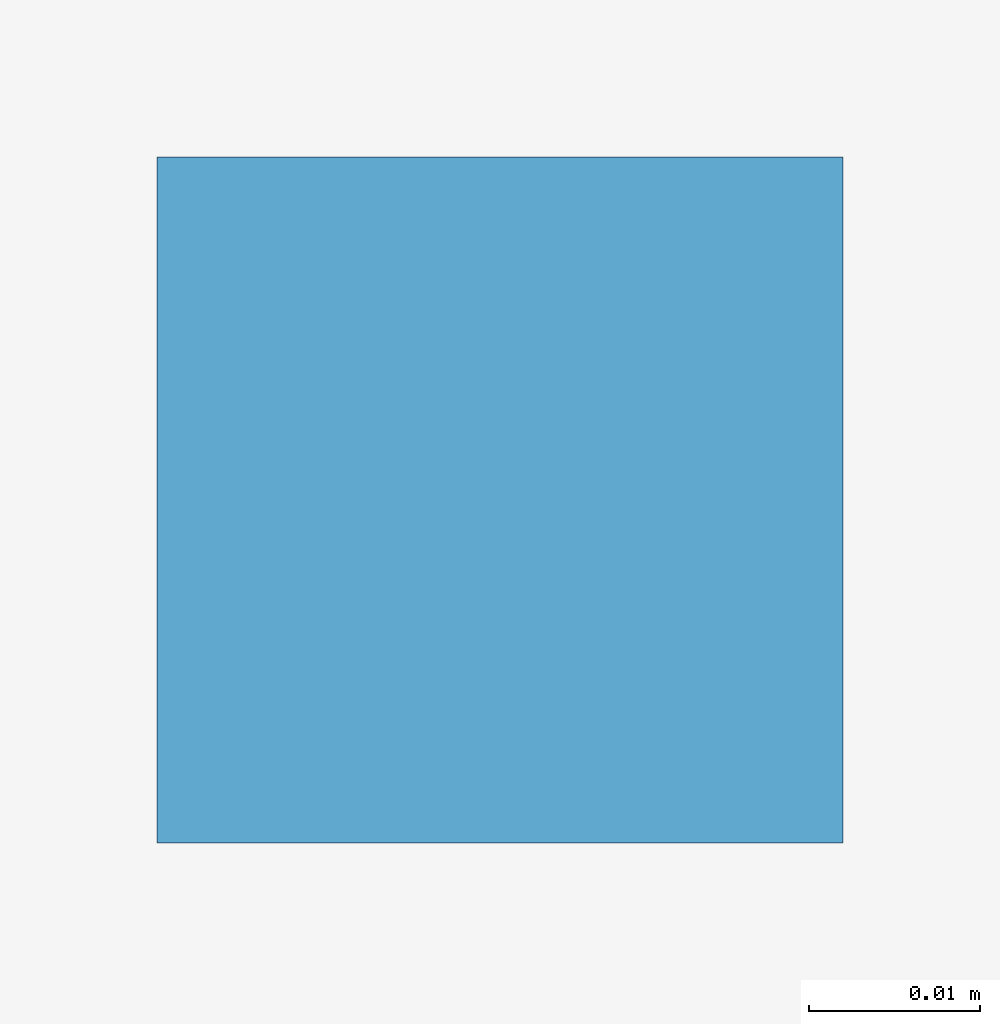
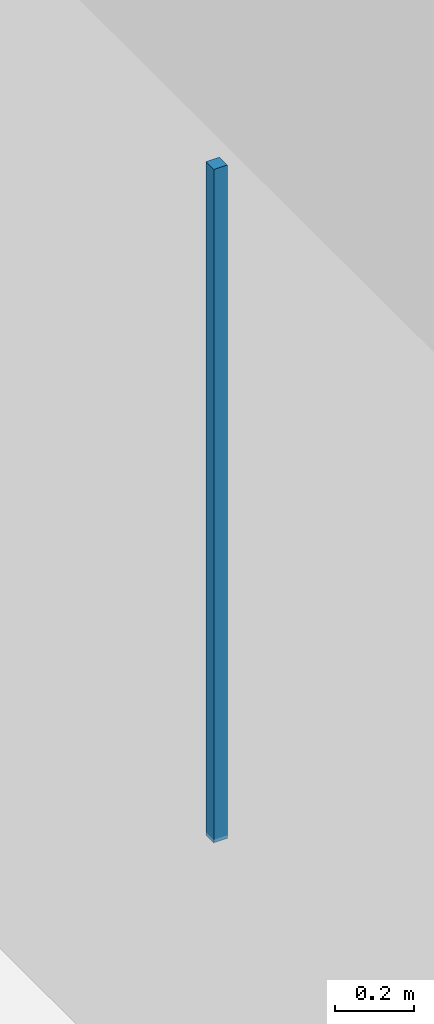
# One storey, part 116 of 167: 1 discrete accessory.
"""IFC4 building model written with IfcOpenShell, lengths in metres."""

from ifc_helpers import new_model, si_unit, direction, frame, origin, origin_2d, place, context, subcontext, project, spatial, rectangle, extrude, material, type_object, element, save


model = new_model("IFC4")

# Units and contexts
model_context = context("Model", 3, precision=1e-05, world=origin(), true_north=direction((0.0, 1.0)))
body_context = subcontext(model_context, "Body", "Model", "MODEL_VIEW")
ifc_project = project(units=[si_unit("LENGTHUNIT", "METRE"), si_unit("AREAUNIT", "SQUARE_METRE"), si_unit("VOLUMEUNIT", "CUBIC_METRE"), si_unit("PLANEANGLEUNIT", "RADIAN"), si_unit("MASSUNIT", "GRAM", prefix="KILO")], contexts=[model_context])

# Site, building, storey
site_placement = place(None, origin())
site = spatial("IfcSite", under=ifc_project, at=site_placement, CompositionType="ELEMENT")
building_placement = place(site_placement, origin())
building = spatial("IfcBuilding", under=site, at=building_placement, Name="Varncliffe General Hospital", CompositionType="ELEMENT")
storey_placement = place(building_placement, origin())
storey = spatial("IfcBuildingStorey", under=building, at=storey_placement, Name="L00", CompositionType="ELEMENT", Elevation=0.0)

# Discrete accessory
ifc_material = material(Name="Powder-coated hospital steel guardrail and handrail", Category="steel")
discrete_accessory_type = type_object("IfcDiscreteAccessoryType", Name="Suspended Ceiling Hanger Bracket CH01", PredefinedType="BRACKET", material=ifc_material)
discrete_accessory_placement = place(storey_placement, frame((65.5, 120.60009765625, 3.18994140625), z_axis=(0.0, 0.0, 1.0), x_axis=(1.0, 0.0, 0.0)))
element("IfcDiscreteAccessory", 1, at=discrete_accessory_placement, inside=storey, type_object=discrete_accessory_type, Name="L00 Suspended Ceiling Hanger 97", PredefinedType="BRACKET", context=body_context, shape_type="SweptSolid", body=[
    extrude(rectangle(XDim=0.0400390625, YDim=0.0400390625, at=origin_2d()), origin(), (0.0, 0.0, 1.0), 2.090087890625),
])

save(model, "model.ifc")
